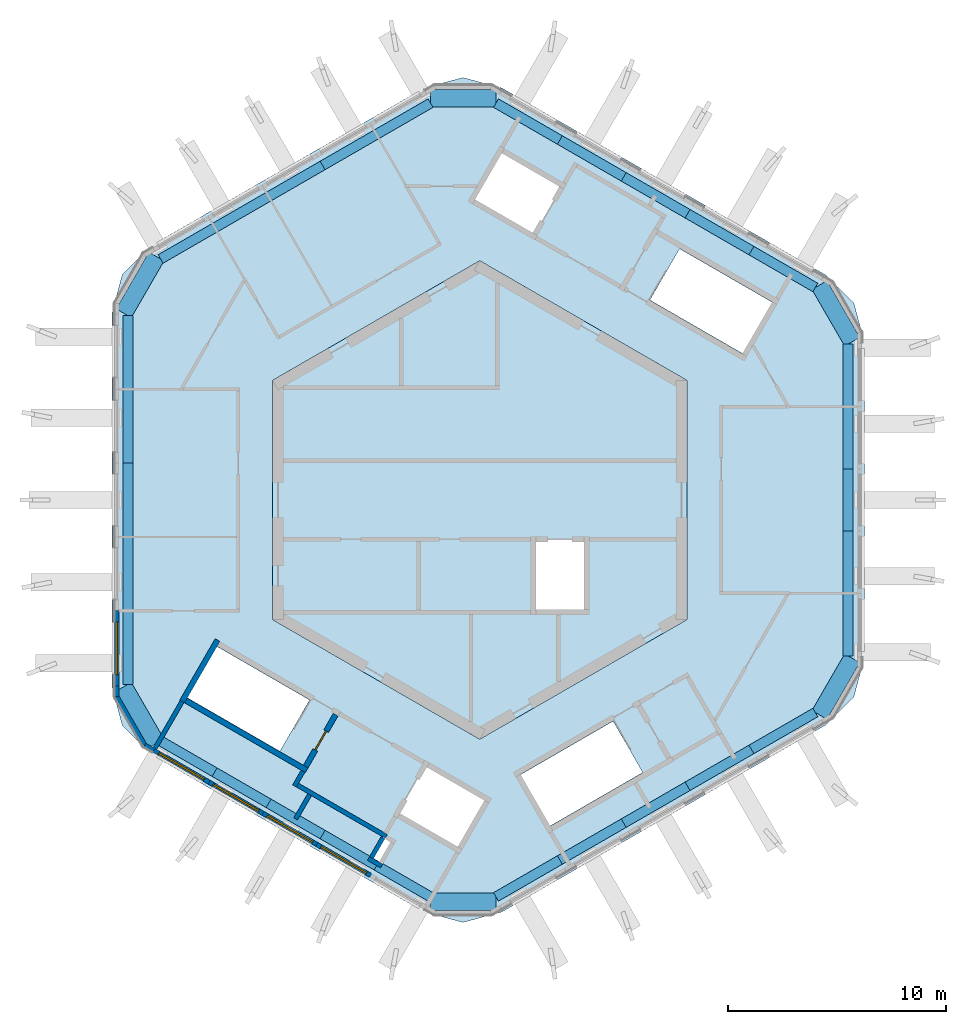
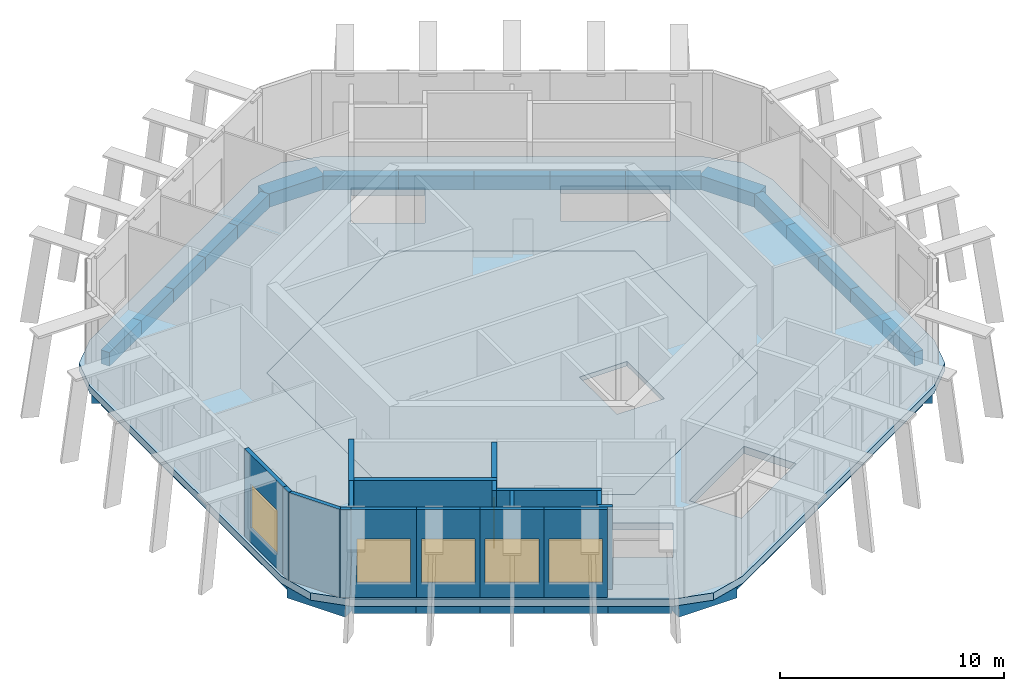
# One storey, part 1 of 8: 36 beams, 17 walls, 5 windows, 2 slabs, 1 door, 6 openings.
"""IFC4 building model written with IfcOpenShell, lengths in metres."""

from ifc_helpers import new_model, si_unit, direction, frame, frame_2d, origin, origin_2d, place, context, subcontext, project, spatial, polyline, rectangle, outline, extrude, material, layer, layer_set, material_profile, profile_set, type_object, element, fill, save


model = new_model("IFC4")

# Units and contexts
model_context = context("Model", 3, precision=1e-05, world=origin(), true_north=direction((0.0, 1.0)))
body_context = subcontext(model_context, "Body", "Model", "MODEL_VIEW")
ifc_project = project(units=[si_unit("LENGTHUNIT", "METRE"), si_unit("AREAUNIT", "SQUARE_METRE"), si_unit("VOLUMEUNIT", "CUBIC_METRE"), si_unit("PLANEANGLEUNIT", "RADIAN"), si_unit("MASSUNIT", "GRAM", prefix="KILO")], contexts=[model_context])

# Site, building, storey
site_placement = place(None, origin())
site = spatial("IfcSite", under=ifc_project, at=site_placement, CompositionType="ELEMENT")
building_placement = place(site_placement, origin())
building = spatial("IfcBuilding", under=site, at=building_placement, Name="Ayvan Gate Tower", CompositionType="ELEMENT")
storey_placement = place(building_placement, frame((0.0, 0.0, 262.89990234375)))
storey = spatial("IfcBuildingStorey", under=building, at=storey_placement, Name="L70", CompositionType="ELEMENT", Elevation=262.89990234375)

# Beams
ifc_material_1 = material(Name="Concrete C40/50", Category="concrete")
ifc_material_profile_1 = material_profile(ifc_material_1, rectangle(XDim=0.800048828125, YDim=0.75, at=origin_2d()), Name="RC 800x750")
ifc_profile_set_1 = profile_set([ifc_material_profile_1], Name="Concrete C40/50")
beam_type_1 = type_object("IfcBeamType", Name="Corner spandrel beam RC 800x750 C40/50", PredefinedType="BEAM", material=ifc_profile_set_1)
beam_1_placement = place(storey_placement, frame((17.078125, 7.2568359375, -0.77490234375), z_axis=(-0.50002537861, 0.866010750942, 0.0), x_axis=(-0.866010750942, -0.50002537861, 0.0)))
element("IfcBeam", 1, at=beam_1_placement, inside=storey, type_object=beam_type_1, Name="SB-L70-6", PredefinedType="BEAM", context=body_context, shape_type="SweptSolid", body=[
    extrude(rectangle(XDim=0.800048828125, YDim=0.75, at=origin_2d()), origin(), (0.0, 0.0, 1.0), 2.999755859375),
])
for number, where, z_axis, x_axis, name in (
    (2, (0.74560546875, 18.41845703125, -0.77490234375), (-1.0, 0.0, 0.0), (0.0, -1.0, 0.0), "SB-L70-12"),
    (3, (-14.823486328125, 11.16162109375, -0.77490234375), (-0.499990139034, -0.866031096941, 0.0), (0.866031096941, -0.499990139034, 0.0), "SB-L70-18"),
    (4, (-16.323486328125, -8.5634765625, -0.77490234375), (0.499990139034, -0.866031096941, 0.0), (0.866031096941, 0.499990139034, 0.0), "SB-L70-24"),
    (5, (-2.25439453125, -18.41845703125, -0.77490234375), (1.0, 0.0, 0.0), (0.0, 1.0, 0.0), "SB-L70-30"),
):
    element("IfcBeam", number, at=place(storey_placement, frame(where, z_axis=z_axis, x_axis=x_axis)), inside=storey, type_object=beam_type_1, Name=name, PredefinedType="BEAM", context=body_context, shape_type="SweptSolid", body=[
        extrude(rectangle(XDim=0.800048828125, YDim=0.75, at=origin_2d()), origin(), (0.0, 0.0, 1.0), 3.0),
    ])
beam_2_placement = place(storey_placement, frame((15.578125, -9.854736328125, -0.77490234375), z_axis=(0.50002537861, 0.866010750942, 0.0), x_axis=(-0.866010750942, 0.50002537861, 0.0)))
element("IfcBeam", 6, at=beam_2_placement, inside=storey, type_object=beam_type_1, Name="SB-L70-36", PredefinedType="BEAM", context=body_context, shape_type="SweptSolid", body=[
    extrude(rectangle(XDim=0.800048828125, YDim=0.75, at=origin_2d()), origin(), (0.0, 0.0, 1.0), 2.999755859375),
])
ifc_material_profile_2 = material_profile(ifc_material_1, rectangle(XDim=0.449951171875, YDim=0.75, at=origin_2d()), Name="RC 450x750")
ifc_profile_set_2 = profile_set([ifc_material_profile_2], Name="Concrete C40/50")
beam_type_2 = type_object("IfcBeamType", Name="Spandrel beam RC 450x750 C40/50", PredefinedType="BEAM", material=ifc_profile_set_2)
for number, where, z_axis, x_axis, name in (
    (7, (16.887451171875, -7.146728515625, -0.77490234375), (0.0, 1.0, 0.0), (-1.0, 0.0, 0.0), "SB-L70-1"),
    (8, (16.887451171875, -4.2880859375, -0.77490234375), (0.0, 1.0, 0.0), (-1.0, 0.0, 0.0), "SB-L70-2"),
):
    element("IfcBeam", number, at=place(storey_placement, frame(where, z_axis=z_axis, x_axis=x_axis)), inside=storey, type_object=beam_type_2, Name=name, PredefinedType="BEAM", context=body_context, shape_type="SweptSolid", body=[
        extrude(rectangle(XDim=0.449951171875, YDim=0.75, at=origin_2d()), origin(), (0.0, 0.0, 1.0), 2.858642578125),
    ])
beam_3_placement = place(storey_placement, frame((16.887451171875, -1.429443359375, -0.77490234375), z_axis=(0.0, 1.0, 0.0), x_axis=(-1.0, 0.0, 0.0)))
element("IfcBeam", 9, at=beam_3_placement, inside=storey, type_object=beam_type_2, Name="SB-L70-3", PredefinedType="BEAM", context=body_context, shape_type="SweptSolid", body=[
    extrude(rectangle(XDim=0.449951171875, YDim=0.75, at=origin_2d()), origin(), (0.0, 0.0, 1.0), 2.85888671875),
])
for number, where, z_axis, x_axis, name in (
    (10, (16.887451171875, 1.429443359375, -0.77490234375), (0.0, 1.0, 0.0), (-1.0, 0.0, 0.0), "SB-L70-4"),
    (11, (16.887451171875, 4.2880859375, -0.77490234375), (0.0, 1.0, 0.0), (-1.0, 0.0, 0.0), "SB-L70-5"),
):
    element("IfcBeam", number, at=place(storey_placement, frame(where, z_axis=z_axis, x_axis=x_axis)), inside=storey, type_object=beam_type_2, Name=name, PredefinedType="BEAM", context=body_context, shape_type="SweptSolid", body=[
        extrude(rectangle(XDim=0.449951171875, YDim=0.75, at=origin_2d()), origin(), (0.0, 0.0, 1.0), 2.858642578125),
    ])
for number, where, z_axis, x_axis, name in (
    (12, (15.387451171875, 9.744873046875, -0.77490234375), (-0.866035297817, 0.499982862641, 0.0), (-0.499982862641, -0.866035297817, 0.0), "SB-L70-7"),
    (13, (12.458984375, 11.435546875, -0.77490234375), (-0.866017247439, 0.500014126939, 0.0), (-0.500014126939, -0.866017247439, 0.0), "SB-L70-8"),
    (14, (9.53076171875, 13.126220703125, -0.77490234375), (-0.866035297817, 0.499982862641, 0.0), (-0.499982862641, -0.866035297817, 0.0), "SB-L70-9"),
    (15, (6.602294921875, 14.81689453125, -0.77490234375), (-0.866035297817, 0.499982862641, 0.0), (-0.499982862641, -0.866035297817, 0.0), "SB-L70-10"),
    (16, (3.673828125, 16.507568359375, -0.77490234375), (-0.865985980947, 0.500068276141, 0.0), (-0.500068276141, -0.865985980947, 0.0), "SB-L70-11"),
):
    element("IfcBeam", number, at=place(storey_placement, frame(where, z_axis=z_axis, x_axis=x_axis)), inside=storey, type_object=beam_type_2, Name=name, PredefinedType="BEAM", context=body_context, shape_type="SweptSolid", body=[
        extrude(rectangle(XDim=0.449951171875, YDim=0.75, at=origin_2d()), origin(), (0.0, 0.0, 1.0), 3.38134765625),
    ])
beam_4_placement = place(storey_placement, frame((-2.25439453125, 18.198486328125, -0.77490234375), z_axis=(-0.866022041678, -0.500005823294, 0.0), x_axis=(0.500005823294, -0.866022041678, 0.0)))
element("IfcBeam", 17, at=beam_4_placement, inside=storey, type_object=beam_type_2, Name="SB-L70-13", PredefinedType="BEAM", context=body_context, shape_type="SweptSolid", body=[
    extrude(rectangle(XDim=0.449951171875, YDim=0.75, at=origin_2d()), origin(), (0.0, 0.0, 1.0), 2.85888671875),
])
for number, where, z_axis, x_axis, name in (
    (18, (-4.730224609375, 16.76904296875, -0.77490234375), (-0.866000689289, -0.500042804318, 0.0), (0.500042804318, -0.866000689289, 0.0), "SB-L70-14"),
    (19, (-7.205810546875, 15.339599609375, -0.77490234375), (-0.866059019634, -0.499941771121, 0.0), (0.499941771121, -0.866059019634, 0.0), "SB-L70-15"),
    (20, (-9.681640625, 13.910400390625, -0.77490234375), (-0.866000689289, -0.500042804318, 0.0), (0.500042804318, -0.866000689289, 0.0), "SB-L70-16"),
):
    element("IfcBeam", number, at=place(storey_placement, frame(where, z_axis=z_axis, x_axis=x_axis)), inside=storey, type_object=beam_type_2, Name=name, PredefinedType="BEAM", context=body_context, shape_type="SweptSolid", body=[
        extrude(rectangle(XDim=0.449951171875, YDim=0.75, at=origin_2d()), origin(), (0.0, 0.0, 1.0), 2.858642578125),
    ])
beam_5_placement = place(storey_placement, frame((-12.1572265625, 12.48095703125, -0.77490234375), z_axis=(-0.866022041678, -0.500005823294, 0.0), x_axis=(0.500005823294, -0.866022041678, 0.0)))
element("IfcBeam", 21, at=beam_5_placement, inside=storey, type_object=beam_type_2, Name="SB-L70-17", PredefinedType="BEAM", context=body_context, shape_type="SweptSolid", body=[
    extrude(rectangle(XDim=0.449951171875, YDim=0.75, at=origin_2d()), origin(), (0.0, 0.0, 1.0), 2.85888671875),
])
beam_6_placement = place(storey_placement, frame((-16.133056640625, 8.45361328125, -0.77490234375), z_axis=(0.0, -1.0, 0.0), x_axis=(1.0, 0.0, 0.0)))
element("IfcBeam", 22, at=beam_6_placement, inside=storey, type_object=beam_type_2, Name="SB-L70-19", PredefinedType="BEAM", context=body_context, shape_type="SweptSolid", body=[
    extrude(rectangle(XDim=0.449951171875, YDim=0.75, at=origin_2d()), origin(), (0.0, 0.0, 1.0), 3.381591796875),
])
for number, where, z_axis, x_axis, name in (
    (23, (-16.133056640625, 5.072021484375, -0.77490234375), (0.0, -1.0, 0.0), (1.0, 0.0, 0.0), "SB-L70-20"),
    (24, (-16.133056640625, 1.690673828125, -0.77490234375), (0.0, -1.0, 0.0), (1.0, 0.0, 0.0), "SB-L70-21"),
    (25, (-16.133056640625, -1.690673828125, -0.77490234375), (0.0, -1.0, 0.0), (1.0, 0.0, 0.0), "SB-L70-22"),
):
    element("IfcBeam", number, at=place(storey_placement, frame(where, z_axis=z_axis, x_axis=x_axis)), inside=storey, type_object=beam_type_2, Name=name, PredefinedType="BEAM", context=body_context, shape_type="SweptSolid", body=[
        extrude(rectangle(XDim=0.449951171875, YDim=0.75, at=origin_2d()), origin(), (0.0, 0.0, 1.0), 3.38134765625),
    ])
beam_7_placement = place(storey_placement, frame((-16.133056640625, -5.072021484375, -0.77490234375), z_axis=(0.0, -1.0, 0.0), x_axis=(1.0, 0.0, 0.0)))
element("IfcBeam", 26, at=beam_7_placement, inside=storey, type_object=beam_type_2, Name="SB-L70-23", PredefinedType="BEAM", context=body_context, shape_type="SweptSolid", body=[
    extrude(rectangle(XDim=0.449951171875, YDim=0.75, at=origin_2d()), origin(), (0.0, 0.0, 1.0), 3.381591796875),
])
beam_8_placement = place(storey_placement, frame((-14.633056640625, -11.051513671875, -0.77490234375), z_axis=(0.866022041678, -0.500005823294, 0.0), x_axis=(0.500005823294, 0.866022041678, 0.0)))
element("IfcBeam", 27, at=beam_8_placement, inside=storey, type_object=beam_type_2, Name="SB-L70-25", PredefinedType="BEAM", context=body_context, shape_type="SweptSolid", body=[
    extrude(rectangle(XDim=0.449951171875, YDim=0.75, at=origin_2d()), origin(), (0.0, 0.0, 1.0), 2.85888671875),
])
for number, where, z_axis, x_axis, name in (
    (28, (-12.1572265625, -12.48095703125, -0.77490234375), (0.866000689289, -0.500042804318, 0.0), (0.500042804318, 0.866000689289, 0.0), "SB-L70-26"),
    (29, (-9.681640625, -13.910400390625, -0.77490234375), (0.866059019634, -0.499941771121, 0.0), (0.499941771121, 0.866059019634, 0.0), "SB-L70-27"),
    (30, (-7.205810546875, -15.339599609375, -0.77490234375), (0.866000689289, -0.500042804318, 0.0), (0.500042804318, 0.866000689289, 0.0), "SB-L70-28"),
):
    element("IfcBeam", number, at=place(storey_placement, frame(where, z_axis=z_axis, x_axis=x_axis)), inside=storey, type_object=beam_type_2, Name=name, PredefinedType="BEAM", context=body_context, shape_type="SweptSolid", body=[
        extrude(rectangle(XDim=0.449951171875, YDim=0.75, at=origin_2d()), origin(), (0.0, 0.0, 1.0), 2.858642578125),
    ])
beam_9_placement = place(storey_placement, frame((-4.730224609375, -16.76904296875, -0.77490234375), z_axis=(0.866022041678, -0.500005823294, 0.0), x_axis=(0.500005823294, 0.866022041678, 0.0)))
element("IfcBeam", 31, at=beam_9_placement, inside=storey, type_object=beam_type_2, Name="SB-L70-29", PredefinedType="BEAM", context=body_context, shape_type="SweptSolid", body=[
    extrude(rectangle(XDim=0.449951171875, YDim=0.75, at=origin_2d()), origin(), (0.0, 0.0, 1.0), 2.85888671875),
])
for number, where, z_axis, x_axis, name in (
    (32, (0.74560546875, -18.198486328125, -0.77490234375), (0.865985980947, 0.500068276141, 0.0), (-0.500068276141, 0.865985980947, 0.0), "SB-L70-31"),
    (33, (3.673828125, -16.507568359375, -0.77490234375), (0.866035297817, 0.499982862641, 0.0), (-0.499982862641, 0.866035297817, 0.0), "SB-L70-32"),
    (34, (6.602294921875, -14.81689453125, -0.77490234375), (0.866035297817, 0.499982862641, 0.0), (-0.499982862641, 0.866035297817, 0.0), "SB-L70-33"),
    (35, (9.53076171875, -13.126220703125, -0.77490234375), (0.866017247439, 0.500014126939, 0.0), (-0.500014126939, 0.866017247439, 0.0), "SB-L70-34"),
    (36, (12.458984375, -11.435546875, -0.77490234375), (0.866035297817, 0.499982862641, 0.0), (-0.499982862641, 0.866035297817, 0.0), "SB-L70-35"),
):
    element("IfcBeam", number, at=place(storey_placement, frame(where, z_axis=z_axis, x_axis=x_axis)), inside=storey, type_object=beam_type_2, Name=name, PredefinedType="BEAM", context=body_context, shape_type="SweptSolid", body=[
        extrude(rectangle(XDim=0.449951171875, YDim=0.75, at=origin_2d()), origin(), (0.0, 0.0, 1.0), 3.38134765625),
    ])

# Slabs
ifc_layer_1 = layer(ifc_material_1, 0.39990234375)
ifc_layer_set_1 = layer_set([ifc_layer_1], Name="Concrete C40/50")
slab_type_1 = type_object("IfcSlabType", Name="Post-tensioned flat slab 400", PredefinedType="FLOOR", material=ifc_layer_set_1)
slab_1_placement = place(storey_placement, frame((0.0, 0.0, -0.39990234375)))
element("IfcSlab", 37, at=slab_1_placement, inside=storey, type_object=slab_type_1, Name="SL-L70", PredefinedType="FLOOR", context=body_context, shape_type="SweptSolid", body=[
    extrude(outline(polyline([(-0.76806640625, -19.368896484375), (-2.5576171875, -18.889404296875), (-15.080078125, -11.65966796875), (-16.389892578125, -10.349609375), (-16.869384765625, -8.56005859375), (-16.869384765625, 8.56005859375), (-16.389892578125, 10.349609375), (-15.080078125, 11.65966796875), (-2.5576171875, 18.889404296875), (-0.76806640625, 19.368896484375), (1.021484375, 18.889404296875), (15.847900390625, 10.329345703125), (17.157958984375, 9.019287109375), (17.637451171875, 7.229736328125), (17.637451171875, -7.229736328125), (17.157958984375, -9.019287109375), (15.847900390625, -10.329345703125), (1.021484375, -18.889404296875), (-0.76806640625, -19.368896484375)]), holes=[polyline([(13.404541015625, 9.0673828125), (9.1611328125, 11.517578125), (7.80615234375, 9.170654296875), (12.049560546875, 6.720458984375), (13.404541015625, 9.0673828125)]), polyline([(0.0, 10.9697265625), (-9.5, 5.48486328125), (-9.5, -5.48486328125), (0.0, -10.9697265625), (9.5, -5.48486328125), (9.5, 5.48486328125), (0.0, 10.9697265625)]), polyline([(3.228759765625, -14.9423828125), (7.472412109375, -12.492431640625), (6.117431640625, -10.1455078125), (1.873779296875, -12.595458984375), (3.228759765625, -14.9423828125)]), polyline([(3.822509765625, 14.420654296875), (0.964599609375, 16.07080078125), (-0.385498046875, 13.732421875), (0.908935546875, 12.985107421875), (2.472412109375, 12.08251953125), (3.822509765625, 14.420654296875)]), polyline([(-0.6298828125, -13.146240234375), (-0.806640625, -13.044189453125), (-2.472412109375, -12.08251953125), (-3.822509765625, -14.420654296875), (-0.964599609375, -16.07080078125), (0.385498046875, -13.732421875), (-0.6298828125, -13.146240234375)]), polyline([(-4.583251953125, -16.73828125), (-3.95458984375, -15.6494140625), (-4.387451171875, -15.3994140625), (-5.016357421875, -16.48828125), (-4.583251953125, -16.73828125)]), polyline([(-7.80615234375, -9.170654296875), (-12.049560546875, -6.720458984375), (-13.404541015625, -9.0673828125), (-9.1611328125, -11.517578125), (-7.80615234375, -9.170654296875)])]), origin(), (0.0, 0.0, 1.0), 0.39990234375),
])
ifc_layer_2 = layer(ifc_material_1, 0.25)
ifc_layer_set_2 = layer_set([ifc_layer_2], Name="Concrete C40/50")
slab_type_2 = type_object("IfcSlabType", Name="SL-CORE-250", PredefinedType="FLOOR", material=ifc_layer_set_2)
slab_2_placement = place(storey_placement, frame((0.0, 0.0, -0.25)))
element("IfcSlab", 38, at=slab_2_placement, inside=storey, type_object=slab_type_2, Name="CS-L70", PredefinedType="FLOOR", context=body_context, shape_type="SweptSolid", body=[
    extrude(outline(polyline([(9.5, -5.48486328125), (0.0, -10.9697265625), (-9.5, -5.48486328125), (-9.5, 5.48486328125), (0.0, 10.9697265625), (9.5, 5.48486328125), (9.5, -5.48486328125)]), holes=[polyline([(4.89990234375, -5.14990234375), (4.89990234375, -1.800048828125), (2.449951171875, -1.800048828125), (2.449951171875, -5.14990234375), (4.89990234375, -5.14990234375)])]), origin(), (0.0, 0.0, 1.0), 0.25),
])

# Wall, opening, window
ifc_material_2 = material(Name="Pale metal cladding on insulated wall")
ifc_layer_3 = layer(ifc_material_2, 0.199951171875)
ifc_layer_set_3 = layer_set([ifc_layer_3], Name="Pale metal cladding on insulated wall")
wall_type_1 = type_object("IfcWallType", Name="Louvred plant wall 200", PredefinedType="SOLIDWALL", material=ifc_layer_set_3)
wall_1_placement = place(storey_placement, frame((-16.64453125, -5.076416015625, 0.0), z_axis=(0.0, 0.0, 1.0), x_axis=(0.0, -1.0, 0.0)))
wall_1 = element("IfcWall", 39, at=wall_1_placement, inside=storey, type_object=wall_type_1, Name="EW:L70:F02:4", PredefinedType="SOLIDWALL", context=body_context, shape_type="SweptSolid", body=[
    extrude(rectangle(XDim=3.4541015625, YDim=0.199951171875, at=frame_2d((1.72705078125, 0.0))), origin(), (0.0, 0.0, 1.0), 4.800048828125),
])
opening_1_placement = place(wall_1_placement, frame((0.527099609375, 0.0, 0.800048828125)))
opening_1 = element("IfcOpeningElement", 40, at=opening_1_placement, cuts=wall_1, Name="Opening W-L", PredefinedType="OPENING", context=body_context, shape_type="SweptSolid", body=[
    extrude(rectangle(XDim=2.39990234375, YDim=2.39990234375, at=frame_2d((1.199951171875, 1.199951171875))), frame((0.0, 0.10986328125, 0.0), z_axis=(0.0, -1.0, 0.0), x_axis=(1.0, 0.0, 0.0)), (0.0, 0.0, 1.0), 0.219970703125),
])
ifc_material_3 = material(Name="Anodised aluminium louvre", Category="aluminium")
window_type = type_object("IfcWindowType", Name="Louvre intake W-L", PartitioningType="DOUBLE_PANEL_VERTICAL", PredefinedType="WINDOW", material=ifc_material_3)
window_1_placement = place(opening_1_placement, origin())
window_1 = element("IfcWindow", 41, at=window_1_placement, inside=storey, type_object=window_type, Name="Louvre intake L70.2.4", OverallHeight=2.39990234375, OverallWidth=2.39990234375, PartitioningType="SINGLE_PANEL", PredefinedType="WINDOW", context=body_context, shape_type="SweptSolid", body=[
    extrude(rectangle(XDim=2.39990234375, YDim=2.39990234375, at=frame_2d((1.199951171875, 1.199951171875))), frame((0.0, 0.030029296875, 0.0), z_axis=(0.0, -1.0, 0.0), x_axis=(1.0, 0.0, 0.0)), (0.0, 0.0, 1.0), 0.06005859375),
])
fill(opening_1, window_1)

# Walls
wall_2_placement = place(storey_placement, frame((-16.64453125, -8.530517578125, 0.0), z_axis=(0.0, 0.0, 1.0), x_axis=(0.0, -1.0, 0.0)))
element("IfcWall", 42, at=wall_2_placement, inside=storey, type_object=wall_type_1, Name="EW:L70:C03:0", PredefinedType="SOLIDWALL", context=body_context, shape_type="SweptSolid", body=[
    extrude(rectangle(XDim=0.474853515625, YDim=0.199951171875, at=frame_2d((0.2373046875, 0.0))), origin(), (0.0, 0.0, 1.0), 4.800048828125),
])
wall_3_placement = place(storey_placement, frame((-16.64453125, -9.00537109375, 0.0), z_axis=(0.0, 0.0, 1.0), x_axis=(0.499992497538, -0.86602973529, 0.0)))
element("IfcWall", 43, at=wall_3_placement, inside=storey, type_object=wall_type_1, Name="EW:L70:C03:1", PredefinedType="SOLIDWALL", context=body_context, shape_type="SweptSolid", body=[
    extrude(rectangle(XDim=2.58251953125, YDim=0.199951171875, at=frame_2d((1.291259765625, 0.0))), origin(), (0.0, 0.0, 1.0), 4.800048828125),
])
wall_4_placement = place(storey_placement, frame((-15.353271484375, -11.241943359375, 0.0), z_axis=(0.0, 0.0, 1.0), x_axis=(0.865988727248, -0.500063520245, 0.0)))
element("IfcWall", 44, at=wall_4_placement, inside=storey, type_object=wall_type_1, Name="EW:L70:C03:2", PredefinedType="SOLIDWALL", context=body_context, shape_type="SweptSolid", body=[
    extrude(rectangle(XDim=0.47509765625, YDim=0.199951171875, at=frame_2d((0.237548828125, 0.0))), origin(), (0.0, 0.0, 1.0), 4.800048828125),
])

# Wall, opening, window
wall_5_placement = place(storey_placement, frame((-14.94189453125, -11.4794921875, 0.0), z_axis=(0.0, 0.0, 1.0), x_axis=(0.866033925456, -0.499985239742, 0.0)))
wall_5 = element("IfcWall", 45, at=wall_5_placement, inside=storey, type_object=wall_type_1, Name="EW:L70:F04:0", PredefinedType="SOLIDWALL", context=body_context, shape_type="SweptSolid", body=[
    extrude(rectangle(XDim=2.921875, YDim=0.199951171875, at=frame_2d((1.4609375, 0.0))), origin(), (0.0, 0.0, 1.0), 4.800048828125),
])
opening_2_placement = place(wall_5_placement, frame((0.260986328125, 0.0, 0.800048828125)))
opening_2 = element("IfcOpeningElement", 46, at=opening_2_placement, cuts=wall_5, Name="Opening W-L", PredefinedType="OPENING", context=body_context, shape_type="SweptSolid", body=[
    extrude(rectangle(XDim=2.39990234375, YDim=2.39990234375, at=frame_2d((1.199951171875, 1.199951171875))), frame((0.0, 0.10986328125, 0.0), z_axis=(0.0, -1.0, 0.0), x_axis=(1.0, 0.0, 0.0)), (0.0, 0.0, 1.0), 0.219970703125),
])
window_2_placement = place(opening_2_placement, origin())
window_2 = element("IfcWindow", 47, at=window_2_placement, inside=storey, type_object=window_type, Name="Louvre intake L70.4.0", OverallHeight=2.39990234375, OverallWidth=2.39990234375, PartitioningType="SINGLE_PANEL", PredefinedType="WINDOW", context=body_context, shape_type="SweptSolid", body=[
    extrude(rectangle(XDim=2.39990234375, YDim=2.39990234375, at=frame_2d((1.199951171875, 1.199951171875))), frame((0.0, 0.030029296875, 0.0), z_axis=(0.0, -1.0, 0.0), x_axis=(1.0, 0.0, 0.0)), (0.0, 0.0, 1.0), 0.06005859375),
])
fill(opening_2, window_2)

wall_6_placement = place(storey_placement, frame((-12.411376953125, -12.9404296875, 0.0), z_axis=(0.0, 0.0, 1.0), x_axis=(0.866027356191, -0.499996618317, 0.0)))
wall_6 = element("IfcWall", 48, at=wall_6_placement, inside=storey, type_object=wall_type_1, Name="EW:L70:F04:1", PredefinedType="SOLIDWALL", context=body_context, shape_type="SweptSolid", body=[
    extrude(rectangle(XDim=2.85205078125, YDim=0.199951171875, at=frame_2d((1.426025390625, 0.0))), origin(), (0.0, 0.0, 1.0), 4.800048828125),
])
opening_3_placement = place(wall_6_placement, frame((0.22607421875, 0.0, 0.800048828125)))
opening_3 = element("IfcOpeningElement", 49, at=opening_3_placement, cuts=wall_6, Name="Opening W-L", PredefinedType="OPENING", context=body_context, shape_type="SweptSolid", body=[
    extrude(rectangle(XDim=2.39990234375, YDim=2.39990234375, at=frame_2d((1.199951171875, 1.199951171875))), frame((0.0, 0.10986328125, 0.0), z_axis=(0.0, -1.0, 0.0), x_axis=(1.0, 0.0, 0.0)), (0.0, 0.0, 1.0), 0.219970703125),
])
window_3_placement = place(opening_3_placement, origin())
window_3 = element("IfcWindow", 50, at=window_3_placement, inside=storey, type_object=window_type, Name="Louvre intake L70.4.1", OverallHeight=2.39990234375, OverallWidth=2.39990234375, PartitioningType="SINGLE_PANEL", PredefinedType="WINDOW", context=body_context, shape_type="SweptSolid", body=[
    extrude(rectangle(XDim=2.39990234375, YDim=2.39990234375, at=frame_2d((1.199951171875, 1.199951171875))), frame((0.0, 0.030029296875, 0.0), z_axis=(0.0, -1.0, 0.0), x_axis=(1.0, 0.0, 0.0)), (0.0, 0.0, 1.0), 0.06005859375),
])
fill(opening_3, window_3)

wall_7_placement = place(storey_placement, frame((-9.94140625, -14.366455078125, 0.0), z_axis=(0.0, 0.0, 1.0), x_axis=(0.866027356191, -0.499996618317, 0.0)))
wall_7 = element("IfcWall", 51, at=wall_7_placement, inside=storey, type_object=wall_type_1, Name="EW:L70:F04:2", PredefinedType="SOLIDWALL", context=body_context, shape_type="SweptSolid", body=[
    extrude(rectangle(XDim=2.85205078125, YDim=0.199951171875, at=frame_2d((1.426025390625, 0.0))), origin(), (0.0, 0.0, 1.0), 4.800048828125),
])
opening_4_placement = place(wall_7_placement, frame((0.22607421875, 0.0, 0.800048828125)))
opening_4 = element("IfcOpeningElement", 52, at=opening_4_placement, cuts=wall_7, Name="Opening W-L", PredefinedType="OPENING", context=body_context, shape_type="SweptSolid", body=[
    extrude(rectangle(XDim=2.39990234375, YDim=2.39990234375, at=frame_2d((1.199951171875, 1.199951171875))), frame((0.0, 0.10986328125, 0.0), z_axis=(0.0, -1.0, 0.0), x_axis=(1.0, 0.0, 0.0)), (0.0, 0.0, 1.0), 0.219970703125),
])
window_4_placement = place(opening_4_placement, origin())
window_4 = element("IfcWindow", 53, at=window_4_placement, inside=storey, type_object=window_type, Name="Louvre intake L70.4.2", OverallHeight=2.39990234375, OverallWidth=2.39990234375, PartitioningType="SINGLE_PANEL", PredefinedType="WINDOW", context=body_context, shape_type="SweptSolid", body=[
    extrude(rectangle(XDim=2.39990234375, YDim=2.39990234375, at=frame_2d((1.199951171875, 1.199951171875))), frame((0.0, 0.030029296875, 0.0), z_axis=(0.0, -1.0, 0.0), x_axis=(1.0, 0.0, 0.0)), (0.0, 0.0, 1.0), 0.06005859375),
])
fill(opening_4, window_4)

wall_8_placement = place(storey_placement, frame((-7.471435546875, -15.79248046875, 0.0), z_axis=(0.0, 0.0, 1.0), x_axis=(0.866017426631, -0.500013816581, 0.0)))
wall_8 = element("IfcWall", 54, at=wall_8_placement, inside=storey, type_object=wall_type_1, Name="EW:L70:F04:3", PredefinedType="SOLIDWALL", context=body_context, shape_type="SweptSolid", body=[
    extrude(rectangle(XDim=2.85302734375, YDim=0.199951171875, at=frame_2d((1.426513671875, 0.0))), origin(), (0.0, 0.0, 1.0), 4.800048828125),
])
opening_5_placement = place(wall_8_placement, frame((0.2265625, 0.0, 0.800048828125)))
opening_5 = element("IfcOpeningElement", 55, at=opening_5_placement, cuts=wall_8, Name="Opening W-L", PredefinedType="OPENING", context=body_context, shape_type="SweptSolid", body=[
    extrude(rectangle(XDim=2.39990234375, YDim=2.39990234375, at=frame_2d((1.199951171875, 1.199951171875))), frame((0.0, 0.10986328125, 0.0), z_axis=(0.0, -1.0, 0.0), x_axis=(1.0, 0.0, 0.0)), (0.0, 0.0, 1.0), 0.219970703125),
])
window_5_placement = place(opening_5_placement, origin())
window_5 = element("IfcWindow", 56, at=window_5_placement, inside=storey, type_object=window_type, Name="Louvre intake L70.4.3", OverallHeight=2.39990234375, OverallWidth=2.39990234375, PartitioningType="SINGLE_PANEL", PredefinedType="WINDOW", context=body_context, shape_type="SweptSolid", body=[
    extrude(rectangle(XDim=2.39990234375, YDim=2.39990234375, at=frame_2d((1.199951171875, 1.199951171875))), frame((0.0, 0.030029296875, 0.0), z_axis=(0.0, -1.0, 0.0), x_axis=(1.0, 0.0, 0.0)), (0.0, 0.0, 1.0), 0.06005859375),
])
fill(opening_5, window_5)

# Walls
ifc_material_4 = material(Name="Plasterboard on steel stud", Category="steel")
ifc_layer_4 = layer(ifc_material_4, 0.199951171875)
ifc_layer_set_4 = layer_set([ifc_layer_4], Name="Plasterboard on steel stud")
wall_type_2 = type_object("IfcWallType", Name="WT-PLUMB-200", PredefinedType="PLUMBINGWALL", material=ifc_layer_set_4)
wall_9_placement = place(storey_placement, frame((-14.8896484375, -11.3896484375, 0.0), z_axis=(0.0, 0.0, 1.0), x_axis=(0.499966389646, 0.866044807862, 0.0)))
element("IfcWall", 57, at=wall_9_placement, inside=storey, type_object=wall_type_2, Name="IW-L70-002", PredefinedType="PLUMBINGWALL", context=body_context, shape_type="SweptSolid", body=[
    extrude(rectangle(XDim=2.483642578125, YDim=0.199951171875, at=frame_2d((1.24169921875, 0.0))), origin(), (0.0, 0.0, 1.0), 4.5),
])
wall_10_placement = place(storey_placement, frame((-8.492919921875, -13.110107421875, 0.0), z_axis=(0.0, 0.0, 1.0), x_axis=(0.500067724834, 0.865986299303, 0.0)))
element("IfcWall", 58, at=wall_10_placement, inside=storey, type_object=wall_type_2, Name="IW-L70-014", PredefinedType="PLUMBINGWALL", context=body_context, shape_type="SweptSolid", body=[
    extrude(rectangle(XDim=0.775390625, YDim=0.199951171875, at=frame_2d((0.3876953125, 0.0))), origin(), (0.0, 0.0, 1.0), 4.5),
])
wall_11_placement = place(storey_placement, frame((-7.800048828125, -13.510009765625, 0.0), z_axis=(0.0, 0.0, 1.0), x_axis=(-0.499892088923, -0.86608769731, 0.0)))
element("IfcWall", 59, at=wall_11_placement, inside=storey, type_object=wall_type_2, Name="IW-L70-016", PredefinedType="PLUMBINGWALL", context=body_context, shape_type="SweptSolid", body=[
    extrude(rectangle(XDim=1.287353515625, YDim=0.199951171875, at=frame_2d((0.6435546875, 0.0))), origin(), (0.0, 0.0, 1.0), 4.5),
])
wall_12_placement = place(storey_placement, frame((-8.356201171875, -13.073486328125, 0.0), z_axis=(0.0, 0.0, 1.0), x_axis=(0.866038532462, -0.499977259774, 0.0)))
element("IfcWall", 60, at=wall_12_placement, inside=storey, type_object=wall_type_2, Name="IW-L70-017", PredefinedType="PLUMBINGWALL", context=body_context, shape_type="SweptSolid", body=[
    extrude(rectangle(XDim=4.699951171875, YDim=0.199951171875, at=frame_2d((2.35009765625, 0.0))), origin(), (0.0, 0.0, 1.0), 4.5),
])
wall_13_placement = place(storey_placement, frame((-4.49658203125, -16.788330078125, 0.0), z_axis=(0.0, 0.0, 1.0), x_axis=(-0.866110083249, 0.499853302173, 0.0)))
element("IfcWall", 61, at=wall_13_placement, inside=storey, type_object=wall_type_2, Name="IW-L70-074", PredefinedType="PLUMBINGWALL", context=body_context, shape_type="SweptSolid", body=[
    extrude(rectangle(XDim=0.699951171875, YDim=0.199951171875, at=frame_2d((0.35009765625, 0.0))), origin(), (0.0, 0.0, 1.0), 4.5),
])
wall_14_placement = place(storey_placement, frame((-4.96630859375, -16.40185546875, 0.0), z_axis=(0.0, 0.0, 1.0), x_axis=(0.499927021214, 0.866067534006, 0.0)))
element("IfcWall", 62, at=wall_14_placement, inside=storey, type_object=wall_type_2, Name="IW-L70-075", PredefinedType="PLUMBINGWALL", context=body_context, shape_type="SweptSolid", body=[
    extrude(rectangle(XDim=1.067626953125, YDim=0.199951171875, at=frame_2d((0.53369140625, 0.0))), origin(), (0.0, 0.0, 1.0), 4.5),
])
ifc_material_5 = material(Name="Concrete C50/60", Category="concrete")
ifc_layer_5 = layer(ifc_material_5, 0.25)
ifc_layer_set_5 = layer_set([ifc_layer_5], Name="Concrete C50/60")
wall_type_3 = type_object("IfcWallType", Name="WT-RC-250", PredefinedType="SHEAR", material=ifc_layer_set_5)
wall_15_placement = place(storey_placement, frame((-13.64794921875, -9.23876953125, 0.0), z_axis=(0.0, 0.0, 1.0), x_axis=(0.500017246033, 0.866015446554, 0.0)))
element("IfcWall", 63, at=wall_15_placement, inside=storey, type_object=wall_type_3, Name="IW-L70-004", PredefinedType="SHEAR", context=body_context, shape_type="SweptSolid", body=[
    extrude(rectangle(XDim=3.25, YDim=0.25, at=frame_2d((1.625, 0.0))), origin(), (0.0, 0.0, 1.0), 4.5),
])
wall_16_placement = place(storey_placement, frame((-7.9345703125, -12.39306640625, 0.0), z_axis=(0.0, 0.0, 1.0), x_axis=(-0.866025499775, 0.499999833739, 0.0)))
element("IfcWall", 64, at=wall_16_placement, inside=storey, type_object=wall_type_3, Name="IW-L70-015", PredefinedType="SHEAR", context=body_context, shape_type="SweptSolid", body=[
    extrude(rectangle(XDim=6.39990234375, YDim=0.25, at=frame_2d((3.199951171875, 0.0))), origin(), (0.0, 0.0, 1.0), 4.5),
])

# Wall, opening, door
wall_17_placement = place(storey_placement, frame((-6.605224609375, -9.8408203125, 0.0), z_axis=(0.0, 0.0, 1.0), x_axis=(-0.499996545922, -0.866027397988, 0.0)))
wall_17 = element("IfcWall", 65, at=wall_17_placement, inside=storey, type_object=wall_type_3, Name="IW-L70-019", PredefinedType="SHEAR", context=body_context, shape_type="SweptSolid", body=[
    extrude(rectangle(XDim=2.75, YDim=0.25, at=frame_2d((1.375, 0.0))), origin(), (0.0, 0.0, 1.0), 4.5),
])
opening_6_placement = place(wall_17_placement, frame((0.875, 0.0, 0.0)))
opening_6 = element("IfcOpeningElement", 66, at=opening_6_placement, cuts=wall_17, Name="Opening L70-D09", PredefinedType="OPENING", context=body_context, shape_type="SweptSolid", body=[
    extrude(rectangle(XDim=1.0, YDim=2.10009765625, at=frame_2d((0.5, 1.050048828125))), frame((0.0, 0.135009765625, 0.0), z_axis=(0.0, -1.0, 0.0), x_axis=(1.0, 0.0, 0.0)), (0.0, 0.0, 1.0), 0.27001953125),
])
ifc_material_6 = material(Name="Timber door leaf", Category="wood")
door_type = type_object("IfcDoorType", Name="DT-1000", OperationType="NOTDEFINED", PredefinedType="DOOR", material=ifc_material_6)
door_placement = place(opening_6_placement, origin())
door = element("IfcDoor", 67, at=door_placement, inside=storey, type_object=door_type, Name="ID-L70-009", OperationType="SINGLE_SWING_LEFT", OverallHeight=2.10009765625, OverallWidth=1.0, PredefinedType="DOOR", context=body_context, shape_type="SweptSolid", body=[
    extrude(rectangle(XDim=1.0, YDim=2.10009765625, at=frame_2d((0.5, 1.050048828125))), frame((0.0, 0.02490234375, 0.0), z_axis=(0.0, -1.0, 0.0), x_axis=(1.0, 0.0, 0.0)), (0.0, 0.0, 1.0), 0.050048828125),
])
fill(opening_6, door)

save(model, "model.ifc")
